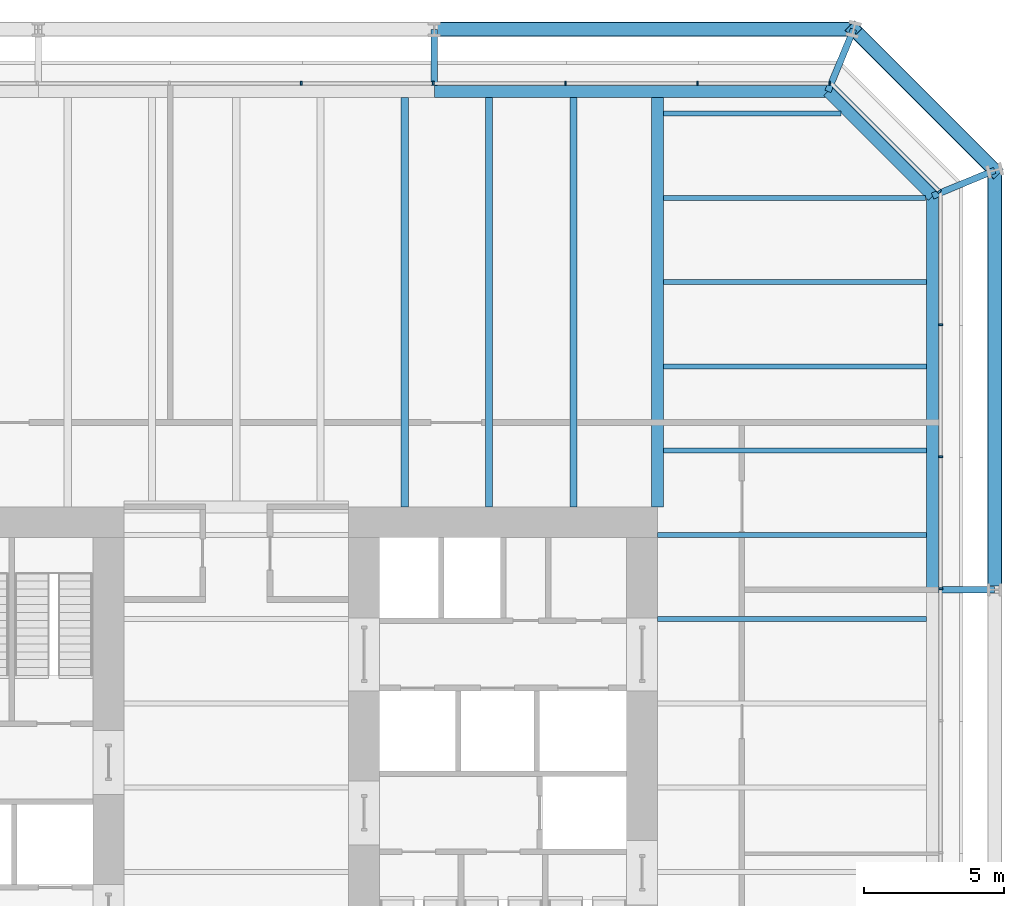
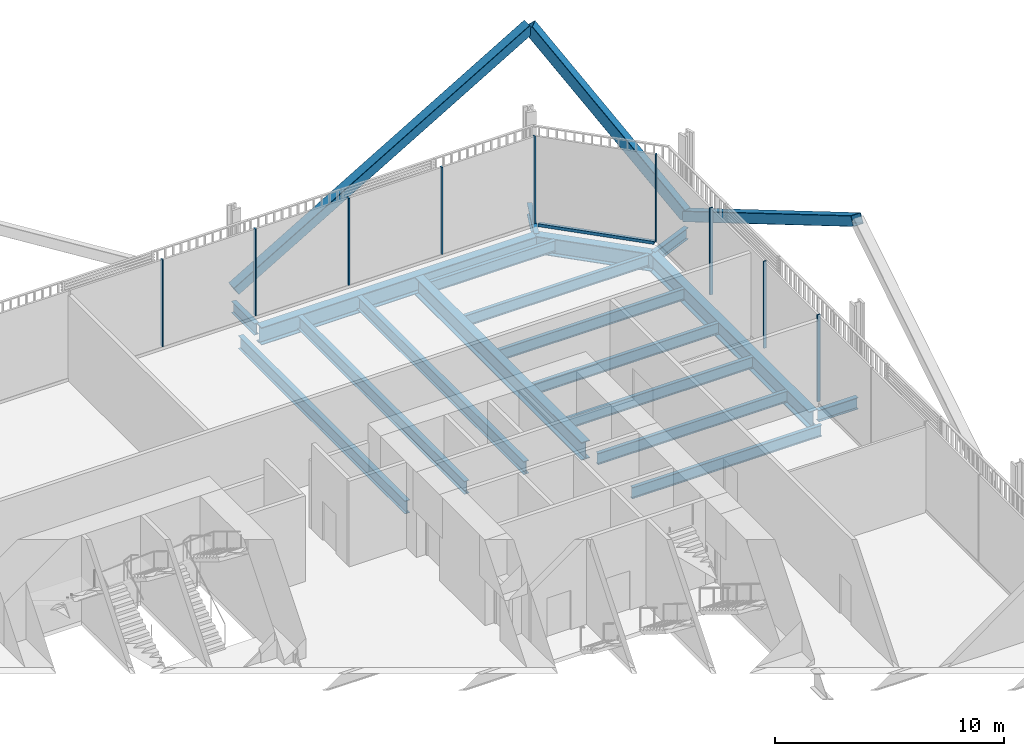
# One storey, part 16 of 22: 18 beams, 13 members, 3 elements without a shape of their own.
"""IFC4 building model written with IfcOpenShell, lengths in metres."""

from ifc_helpers import new_model, si_unit, direction, frame, origin, origin_2d, place, context, subcontext, project, spatial, rectangle, hollow_rectangle, i_section, extrude, material, layer, layer_set, material_profile, profile_set, type_object, element, aggregate, save


model = new_model("IFC4")

# Units and contexts
model_context = context("Model", 3, precision=1e-05, world=origin(), true_north=direction((0.0, 1.0)))
body_context = subcontext(model_context, "Body", "Model", "MODEL_VIEW")
ifc_project = project(units=[si_unit("LENGTHUNIT", "METRE"), si_unit("AREAUNIT", "SQUARE_METRE"), si_unit("VOLUMEUNIT", "CUBIC_METRE"), si_unit("PLANEANGLEUNIT", "RADIAN"), si_unit("MASSUNIT", "GRAM", prefix="KILO")], contexts=[model_context])

# Site, building, storey
site_placement = place(None, origin())
site = spatial("IfcSite", under=ifc_project, at=site_placement, CompositionType="ELEMENT")
building_placement = place(site_placement, origin())
building = spatial("IfcBuilding", under=site, at=building_placement, Name="Millrace Tower", CompositionType="ELEMENT")
storey_placement = place(building_placement, frame((0.0, 0.0, 20.89990234375)))
storey = spatial("IfcBuildingStorey", under=building, at=storey_placement, Name="L05", CompositionType="ELEMENT", Elevation=20.89990234375)

# Curtain wall, members
ifc_material_1 = material(Name="Aluminium and glass", Category="aluminium")
ifc_layer = layer(ifc_material_1, 0.14990234375)
ifc_layer_set = layer_set([ifc_layer], Name="Aluminium and glass")
curtain_wall_type = type_object("IfcCurtainWallType", Name="CW-2 data hall insulated curtain wall", PredefinedType="NOTDEFINED", material=ifc_layer_set)
placement = place(storey_placement, origin())
curtain_wall_1 = element("IfcCurtainWall", 1, at=placement, inside=storey, type_object=curtain_wall_type, Name="Curtain wall A-F04 L05", PredefinedType="NOTDEFINED")
ifc_material_2 = material(Name="Aluminium", Category="aluminium")
ifc_material_profile_1 = material_profile(ifc_material_2, rectangle(XDim=0.06494140625, YDim=0.14990234375, at=origin_2d()))
ifc_profile_set_1 = profile_set([ifc_material_profile_1], Name="Aluminium")
member_type_1 = type_object("IfcMemberType", Name="CW-2 data hall insulated curtain wall mullion", PredefinedType="MULLION", material=ifc_profile_set_1)
member_1_placement = place(storey_placement, frame((25.074951171875, 7.08251953125, 0.16015625), z_axis=(0.0, 0.0, 1.0), x_axis=(0.0, 1.0, 0.0)))
member_1 = element("IfcMember", 2, at=member_1_placement, type_object=member_type_1, Name="CW2 mullion A-F04.7", PredefinedType="MULLION", context=body_context, shape_type="SweptSolid", body=[
    extrude(rectangle(XDim=0.06494140625, YDim=0.14990234375, at=origin_2d()), origin(), (0.0, 0.0, 1.0), 4.639892578125),
])
member_2_placement = place(storey_placement, frame((25.074951171875, 11.782470703125, 0.16015625), z_axis=(0.0, 0.0, 1.0), x_axis=(0.0, 1.0, 0.0)))
member_2 = element("IfcMember", 3, at=member_2_placement, type_object=member_type_1, Name="CW2 mullion A-F04.8", PredefinedType="MULLION", context=body_context, shape_type="SweptSolid", body=[
    extrude(rectangle(XDim=0.06494140625, YDim=0.14990234375, at=origin_2d()), origin(), (0.0, 0.0, 1.0), 4.639892578125),
])
member_3_placement = place(storey_placement, frame((25.074951171875, 16.482421875, 0.16015625), z_axis=(0.0, 0.0, 1.0), x_axis=(0.0, 1.0, 0.0)))
member_3 = element("IfcMember", 4, at=member_3_placement, type_object=member_type_1, Name="CW2 mullion A-F04.9", PredefinedType="MULLION", context=body_context, shape_type="SweptSolid", body=[
    extrude(rectangle(XDim=0.06494140625, YDim=0.14990234375, at=origin_2d()), origin(), (0.0, 0.0, 1.0), 4.639892578125),
])
aggregate(curtain_wall_1, [member_1, member_2, member_3])

# Curtain wall, member
curtain_wall_2 = element("IfcCurtainWall", 5, at=placement, inside=storey, type_object=curtain_wall_type, Name="Curtain wall A-F05 L05", PredefinedType="NOTDEFINED")
member_4_placement = place(storey_placement, frame((25.030029296875, 21.22607421875, 0.16015625), z_axis=(0.0, 0.0, 1.0), x_axis=(-0.707106781187, 0.707106781187, 0.0)))
member_4 = element("IfcMember", 6, at=member_4_placement, type_object=member_type_1, Name="CW2 mullion A-F05.1", PredefinedType="MULLION", context=body_context, shape_type="SweptSolid", body=[
    extrude(rectangle(XDim=0.06494140625, YDim=0.14990234375, at=origin_2d()), origin(), (0.0, 0.0, 1.0), 4.639892578125),
])

# Curtain wall, members
curtain_wall_3 = element("IfcCurtainWall", 7, at=placement, inside=storey, type_object=curtain_wall_type, Name="Curtain wall A-F06 L05", PredefinedType="NOTDEFINED")
member_5_placement = place(storey_placement, frame((21.117431640625, 25.074951171875, 0.16015625), z_axis=(0.0, 0.0, 1.0), x_axis=(-1.0, 0.0, 0.0)))
member_5 = element("IfcMember", 8, at=member_5_placement, type_object=member_type_1, Name="CW2 mullion A-F06.1", PredefinedType="MULLION", context=body_context, shape_type="SweptSolid", body=[
    extrude(rectangle(XDim=0.06494140625, YDim=0.14990234375, at=origin_2d()), origin(), (0.0, 0.0, 1.0), 4.639892578125),
])
member_6_placement = place(storey_placement, frame((16.41748046875, 25.074951171875, 0.16015625), z_axis=(0.0, 0.0, 1.0), x_axis=(-1.0, 0.0, 0.0)))
member_6 = element("IfcMember", 9, at=member_6_placement, type_object=member_type_1, Name="CW2 mullion A-F06.2", PredefinedType="MULLION", context=body_context, shape_type="SweptSolid", body=[
    extrude(rectangle(XDim=0.06494140625, YDim=0.14990234375, at=origin_2d()), origin(), (0.0, 0.0, 1.0), 4.639892578125),
])
member_7_placement = place(storey_placement, frame((11.717529296875, 25.074951171875, 0.16015625), z_axis=(0.0, 0.0, 1.0), x_axis=(-1.0, 0.0, 0.0)))
member_7 = element("IfcMember", 10, at=member_7_placement, type_object=member_type_1, Name="CW2 mullion A-F06.3", PredefinedType="MULLION", context=body_context, shape_type="SweptSolid", body=[
    extrude(rectangle(XDim=0.06494140625, YDim=0.14990234375, at=origin_2d()), origin(), (0.0, 0.0, 1.0), 4.639892578125),
])
member_8_placement = place(storey_placement, frame((7.017578125, 25.074951171875, 0.16015625), z_axis=(0.0, 0.0, 1.0), x_axis=(-1.0, 0.0, 0.0)))
member_8 = element("IfcMember", 11, at=member_8_placement, type_object=member_type_1, Name="CW2 mullion A-F06.4", PredefinedType="MULLION", context=body_context, shape_type="SweptSolid", body=[
    extrude(rectangle(XDim=0.06494140625, YDim=0.14990234375, at=origin_2d()), origin(), (0.0, 0.0, 1.0), 4.639892578125),
])
member_9_placement = place(storey_placement, frame((2.3173828125, 25.074951171875, 0.16015625), z_axis=(0.0, 0.0, 1.0), x_axis=(-1.0, 0.0, 0.0)))
member_9 = element("IfcMember", 12, at=member_9_placement, type_object=member_type_1, Name="CW2 mullion A-F06.5", PredefinedType="MULLION", context=body_context, shape_type="SweptSolid", body=[
    extrude(rectangle(XDim=0.06494140625, YDim=0.14990234375, at=origin_2d()), origin(), (0.0, 0.0, 1.0), 4.639892578125),
])
aggregate(curtain_wall_3, [member_5, member_6, member_7, member_8, member_9])

# Member
ifc_material_3 = material(Name="Aluminium", Category="aluminium")
ifc_material_profile_2 = material_profile(ifc_material_3, rectangle(XDim=0.14990234375, YDim=0.159912109375, at=origin_2d()))
ifc_profile_set_2 = profile_set([ifc_material_profile_2], Name="Aluminium")
member_type_2 = type_object("IfcMemberType", Name="CW-2 data hall insulated curtain wall transom", PredefinedType="USERDEFINED", material=ifc_profile_set_2)
member_10_placement = place(storey_placement, frame((24.982421875, 21.273681640625, 0.080078125), z_axis=(-0.707106781187, 0.707106781187, 0.0), x_axis=(-0.707106781187, -0.707106781187, 0.0)))
member_10 = element("IfcMember", 13, at=member_10_placement, type_object=member_type_2, Name="CW2 transom A-F05.1", ObjectType="TRANSOM", PredefinedType="USERDEFINED", context=body_context, shape_type="SweptSolid", body=[
    extrude(rectangle(XDim=0.14990234375, YDim=0.159912109375, at=origin_2d()), origin(), (0.0, 0.0, 1.0), 5.244873046875),
])

aggregate(curtain_wall_2, [member_4, member_10])

# Members
ifc_material_4 = material(Name="Steel ASTM A500 Grade C", Category="steel")
ifc_material_profile_3 = material_profile(ifc_material_4, hollow_rectangle(XDim=0.508056640625, YDim=0.508056640625, WallThickness=0.022216796875, InnerFilletRadius=0.01123046875, OuterFilletRadius=0.033447265625, at=origin_2d()))
ifc_profile_set_3 = profile_set([ifc_material_profile_3], Name="Steel ASTM A500 Grade C")
member_type_3 = type_object("IfcMemberType", Name="Exoskeleton brace HSS20x20x7/8", PredefinedType="BRACE", material=ifc_profile_set_3)
member_11_placement = place(storey_placement, frame((27.0, 21.978515625, 0.400146484375), z_axis=(0.0, -0.861464835883, 0.507817227491), x_axis=(1.0, 0.0, 0.0)))
element("IfcMember", 14, at=member_11_placement, inside=storey, type_object=member_type_3, Name="BRC-A-L05-08", PredefinedType="BRACE", context=body_context, shape_type="SweptSolid", body=[
    extrude(hollow_rectangle(XDim=0.508056640625, YDim=0.508056640625, WallThickness=0.022216796875, InnerFilletRadius=0.01123046875, OuterFilletRadius=0.033447265625, at=origin_2d()), origin(), (0.0, 0.0, 1.0), 17.3291015625),
])
member_12_placement = place(storey_placement, frame((27.0, 21.978515625, 0.400146484375), z_axis=(-0.444063713793, 0.444063713793, 0.77821259061), x_axis=(-0.707106781187, -0.707106781187, 0.0)))
element("IfcMember", 15, at=member_12_placement, inside=storey, type_object=member_type_3, Name="BRC-A-L05-09", PredefinedType="BRACE", context=body_context, shape_type="SweptSolid", body=[
    extrude(hollow_rectangle(XDim=0.508056640625, YDim=0.508056640625, WallThickness=0.022216796875, InnerFilletRadius=0.01123046875, OuterFilletRadius=0.033447265625, at=origin_2d()), origin(), (0.0, 0.0, 1.0), 11.30810546875),
])
member_13_placement = place(storey_placement, frame((7.050048828125, 27.0, 0.400146484375), z_axis=(0.861464835883, 0.0, 0.507817227491), x_axis=(0.0, 1.0, 0.0)))
element("IfcMember", 16, at=member_13_placement, inside=storey, type_object=member_type_3, Name="BRC-A-L05-10", PredefinedType="BRACE", context=body_context, shape_type="SweptSolid", body=[
    extrude(hollow_rectangle(XDim=0.508056640625, YDim=0.508056640625, WallThickness=0.022216796875, InnerFilletRadius=0.01123046875, OuterFilletRadius=0.033447265625, at=origin_2d()), origin(), (0.0, 0.0, 1.0), 17.3291015625),
])

# Beams
ifc_material_5 = material(Name="Steel ASTM A992 Grade 50", Category="steel")
ifc_material_profile_4 = material_profile(ifc_material_5, i_section(OverallWidth=0.177978515625, OverallDepth=0.599365234375, WebThickness=0.010009765625, FlangeThickness=0.012939453125, FilletRadius=0.012939453125, at=origin_2d()))
ifc_profile_set_4 = profile_set([ifc_material_profile_4], Name="Steel ASTM A992 Grade 50")
beam_type_1 = type_object("IfcBeamType", Name="Floor beam W24x55", PredefinedType="JOIST", material=ifc_profile_set_4)
beam_1_placement = place(storey_placement, frame((15.212158203125, 24.0, -0.524658203125), z_axis=(1.0, 0.0, 0.0), x_axis=(0.0, 1.0, 0.0)))
element("IfcBeam", 17, at=beam_1_placement, inside=storey, type_object=beam_type_1, Name="BM-A-L05-S1-S041", PredefinedType="JOIST", context=body_context, shape_type="SweptSolid", body=[
    extrude(i_section(OverallWidth=0.177978515625, OverallDepth=0.599365234375, WebThickness=0.010009765625, FlangeThickness=0.012939453125, FilletRadius=0.012939453125, at=origin_2d()), origin(), (0.0, 0.0, 1.0), 6.317626953125),
])
ifc_material_6 = material(Name="Steel ASTM A992 Grade 50", Category="steel")
ifc_material_profile_5 = material_profile(ifc_material_6, i_section(OverallWidth=0.1787109375, OverallDepth=0.60205078125, WebThickness=0.010986328125, FlangeThickness=0.014892578125, FilletRadius=0.0126953125, at=origin_2d()))
ifc_profile_set_5 = profile_set([ifc_material_profile_5], Name="Steel ASTM A992 Grade 50")
beam_type_2 = type_object("IfcBeamType", Name="Floor beam W24x62", PredefinedType="JOIST", material=ifc_profile_set_5)
for number, where, z_axis, x_axis, name in (
    (18, (15.0, 6.0, -0.52587890625), (1.0, 0.0, 0.0), (0.0, 1.0, 0.0), "BM-A-L05-S1-S028"),
    (19, (15.0, 9.0, -0.52587890625), (1.0, 0.0, 0.0), (0.0, 1.0, 0.0), "BM-A-L05-S1-S031"),
):
    element("IfcBeam", number, at=place(storey_placement, frame(where, z_axis=z_axis, x_axis=x_axis)), inside=storey, type_object=beam_type_2, Name=name, PredefinedType="JOIST", context=body_context, shape_type="SweptSolid", body=[
        extrude(i_section(OverallWidth=0.1787109375, OverallDepth=0.60205078125, WebThickness=0.010986328125, FlangeThickness=0.014892578125, FilletRadius=0.0126953125, at=origin_2d()), origin(), (0.0, 0.0, 1.0), 9.578369140625),
    ])
for number, where, z_axis, x_axis, name in (
    (20, (15.212158203125, 12.0, -0.52587890625), (1.0, 0.0, 0.0), (0.0, 1.0, 0.0), "BM-A-L05-S1-S033"),
    (21, (15.212158203125, 15.0, -0.52587890625), (1.0, 0.0, 0.0), (0.0, 1.0, 0.0), "BM-A-L05-S1-S035"),
    (22, (15.212158203125, 18.0, -0.52587890625), (1.0, 0.0, 0.0), (0.0, 1.0, 0.0), "BM-A-L05-S1-S037"),
):
    element("IfcBeam", number, at=place(storey_placement, frame(where, z_axis=z_axis, x_axis=x_axis)), inside=storey, type_object=beam_type_2, Name=name, PredefinedType="JOIST", context=body_context, shape_type="SweptSolid", body=[
        extrude(i_section(OverallWidth=0.1787109375, OverallDepth=0.60205078125, WebThickness=0.010986328125, FlangeThickness=0.014892578125, FilletRadius=0.0126953125, at=origin_2d()), origin(), (0.0, 0.0, 1.0), 9.3662109375),
    ])
beam_2_placement = place(storey_placement, frame((15.212158203125, 21.0, -0.52587890625), z_axis=(1.0, 0.0, 0.0), x_axis=(0.0, 1.0, 0.0)))
element("IfcBeam", 23, at=beam_2_placement, inside=storey, type_object=beam_type_2, Name="BM-A-L05-S1-S039", PredefinedType="JOIST", context=body_context, shape_type="SweptSolid", body=[
    extrude(i_section(OverallWidth=0.1787109375, OverallDepth=0.60205078125, WebThickness=0.010986328125, FlangeThickness=0.014892578125, FilletRadius=0.0126953125, at=origin_2d()), origin(), (0.0, 0.0, 1.0), 9.317626953125),
])
ifc_material_7 = material(Name="Steel ASTM A992 Grade 50", Category="steel")
ifc_material_profile_6 = material_profile(ifc_material_7, i_section(OverallWidth=0.256591796875, OverallDepth=0.693359375, WebThickness=0.014404296875, FlangeThickness=0.023681640625, FilletRadius=0.01513671875, at=origin_2d()))
ifc_profile_set_6 = profile_set([ifc_material_profile_6], Name="Steel ASTM A992 Grade 50")
beam_type_3 = type_object("IfcBeamType", Name="Floor beam W27x114", PredefinedType="JOIST", material=ifc_profile_set_6)
for number, where, z_axis, x_axis, name in (
    (24, (6.0, 10.0, -0.571533203125), (0.0, 1.0, 0.0), (-1.0, 0.0, 0.0), "BM-A-L05-S1-S054"),
    (25, (9.0, 10.0, -0.571533203125), (0.0, 1.0, 0.0), (-1.0, 0.0, 0.0), "BM-A-L05-S1-S056"),
    (26, (12.0, 10.0, -0.571533203125), (0.0, 1.0, 0.0), (-1.0, 0.0, 0.0), "BM-A-L05-S1-S058"),
):
    element("IfcBeam", number, at=place(storey_placement, frame(where, z_axis=z_axis, x_axis=x_axis)), inside=storey, type_object=beam_type_3, Name=name, PredefinedType="JOIST", context=body_context, shape_type="SweptSolid", body=[
        extrude(i_section(OverallWidth=0.256591796875, OverallDepth=0.693359375, WebThickness=0.014404296875, FlangeThickness=0.023681640625, FilletRadius=0.01513671875, at=origin_2d()), origin(), (0.0, 0.0, 1.0), 14.578369140625),
    ])
ifc_material_8 = material(Name="Steel ASTM A992 Grade 50", Category="steel")
ifc_material_profile_7 = material_profile(ifc_material_8, i_section(OverallWidth=0.424072265625, OverallDepth=0.947509765625, WebThickness=0.02392578125, FlangeThickness=0.042724609375, FilletRadius=0.024169921875, at=origin_2d()))
ifc_profile_set_7 = profile_set([ifc_material_profile_7], Name="Steel ASTM A992 Grade 50")
beam_type_4 = type_object("IfcBeamType", Name="Girder medium span W36x302", PredefinedType="BEAM", material=ifc_profile_set_7)
beam_3_placement = place(storey_placement, frame((15.0, 10.0, -0.69873046875), z_axis=(0.0, 1.0, 0.0), x_axis=(-1.0, 0.0, 0.0)))
element("IfcBeam", 27, at=beam_3_placement, inside=storey, type_object=beam_type_4, Name="BM-A-L05-S1-G062", PredefinedType="BEAM", context=body_context, shape_type="SweptSolid", body=[
    extrude(i_section(OverallWidth=0.424072265625, OverallDepth=0.947509765625, WebThickness=0.02392578125, FlangeThickness=0.042724609375, FilletRadius=0.024169921875, at=origin_2d()), origin(), (0.0, 0.0, 1.0), 14.578369140625),
])
ifc_material_9 = material(Name="Steel ASTM A992 Grade 50", Category="steel")
ifc_material_profile_8 = material_profile(ifc_material_9, i_section(OverallWidth=0.23046875, OverallDepth=0.6171875, WebThickness=0.01318359375, FlangeThickness=0.022216796875, FilletRadius=0.012939453125, at=origin_2d()))
ifc_profile_set_8 = profile_set([ifc_material_profile_8], Name="Steel ASTM A992 Grade 50")
beam_type_5 = type_object("IfcBeamType", Name="Link beam W24x94", PredefinedType="BEAM", material=ifc_profile_set_8)
beam_4_placement = place(storey_placement, frame((7.050048828125, 25.0, -0.533447265625), z_axis=(0.0, 1.0, 0.0), x_axis=(-1.0, 0.0, 0.0)))
element("IfcBeam", 28, at=beam_4_placement, inside=storey, type_object=beam_type_5, Name="LNK-A-L05-S1-07", PredefinedType="BEAM", context=body_context, shape_type="SweptSolid", body=[
    extrude(i_section(OverallWidth=0.23046875, OverallDepth=0.6171875, WebThickness=0.01318359375, FlangeThickness=0.022216796875, FilletRadius=0.012939453125, at=origin_2d()), origin(), (0.0, 0.0, 1.0), 2.0),
])
for number, where, z_axis, x_axis, name in (
    (29, (21.062744140625, 24.7890625, -0.533447265625), (0.382673155247, 0.923883789366, 0.0), (-0.923883789366, 0.382673155247, 0.0), "LNK-A-L05-S1-08"),
    (30, (24.7890625, 21.062744140625, -0.533447265625), (0.923883789366, 0.382673155247, 0.0), (-0.382673155247, 0.923883789366, 0.0), "LNK-A-L05-S1-09"),
):
    element("IfcBeam", number, at=place(storey_placement, frame(where, z_axis=z_axis, x_axis=x_axis)), inside=storey, type_object=beam_type_5, Name=name, PredefinedType="BEAM", context=body_context, shape_type="SweptSolid", body=[
        extrude(i_section(OverallWidth=0.23046875, OverallDepth=0.6171875, WebThickness=0.01318359375, FlangeThickness=0.022216796875, FilletRadius=0.012939453125, at=origin_2d()), origin(), (0.0, 0.0, 1.0), 2.39306640625),
    ])
beam_5_placement = place(storey_placement, frame((25.0, 7.050048828125, -0.533447265625), z_axis=(1.0, 0.0, 0.0), x_axis=(0.0, 1.0, 0.0)))
element("IfcBeam", 31, at=beam_5_placement, inside=storey, type_object=beam_type_5, Name="LNK-A-L05-S1-10", PredefinedType="BEAM", context=body_context, shape_type="SweptSolid", body=[
    extrude(i_section(OverallWidth=0.23046875, OverallDepth=0.6171875, WebThickness=0.01318359375, FlangeThickness=0.022216796875, FilletRadius=0.012939453125, at=origin_2d()), origin(), (0.0, 0.0, 1.0), 2.0),
])
ifc_material_10 = material(Name="Steel ASTM A992 Grade 50", Category="steel")
ifc_material_profile_9 = material_profile(ifc_material_10, i_section(OverallWidth=0.421630859375, OverallDepth=0.937255859375, WebThickness=0.021240234375, FlangeThickness=0.03662109375, FilletRadius=0.024169921875, at=origin_2d()))
ifc_profile_set_9 = profile_set([ifc_material_profile_9], Name="Steel ASTM A992 Grade 50")
beam_type_6 = type_object("IfcBeamType", Name="Ring beam medium span W36x262", PredefinedType="SPANDREL", material=ifc_profile_set_9)
for number, where, z_axis, x_axis, name in (
    (32, (7.050048828125, 24.7890625, -0.693603515625), (1.0, 0.0, 0.0), (0.0, 1.0, 0.0), "RNG-A-L05-S1-07"),
    (33, (24.7890625, 21.062744140625, -0.693603515625), (0.0, -1.0, 0.0), (1.0, 0.0, 0.0), "RNG-A-L05-S1-09"),
):
    element("IfcBeam", number, at=place(storey_placement, frame(where, z_axis=z_axis, x_axis=x_axis)), inside=storey, type_object=beam_type_6, Name=name, PredefinedType="SPANDREL", context=body_context, shape_type="SweptSolid", body=[
        extrude(i_section(OverallWidth=0.421630859375, OverallDepth=0.937255859375, WebThickness=0.021240234375, FlangeThickness=0.03662109375, FilletRadius=0.024169921875, at=origin_2d()), origin(), (0.0, 0.0, 1.0), 14.0126953125),
    ])
ifc_material_11 = material(Name="Steel ASTM A992 Grade 50", Category="steel")
ifc_material_profile_10 = material_profile(ifc_material_11, i_section(OverallWidth=0.421630859375, OverallDepth=0.937255859375, WebThickness=0.021240234375, FlangeThickness=0.03662109375, FilletRadius=0.024169921875, at=origin_2d()))
ifc_profile_set_10 = profile_set([ifc_material_profile_10], Name="Steel ASTM A992 Grade 50")
beam_type_7 = type_object("IfcBeamType", Name="Ring beam short span W36x262", PredefinedType="SPANDREL", material=ifc_profile_set_10)
beam_6_placement = place(storey_placement, frame((21.062744140625, 24.7890625, -0.693603515625), z_axis=(0.707106781187, -0.707106781187, 0.0), x_axis=(0.707106781187, 0.707106781187, 0.0)))
element("IfcBeam", 34, at=beam_6_placement, inside=storey, type_object=beam_type_7, Name="RNG-A-L05-S1-08", PredefinedType="SPANDREL", context=body_context, shape_type="SweptSolid", body=[
    extrude(i_section(OverallWidth=0.421630859375, OverallDepth=0.937255859375, WebThickness=0.021240234375, FlangeThickness=0.03662109375, FilletRadius=0.024169921875, at=origin_2d()), origin(), (0.0, 0.0, 1.0), 5.269775390625),
])

save(model, "model.ifc")
